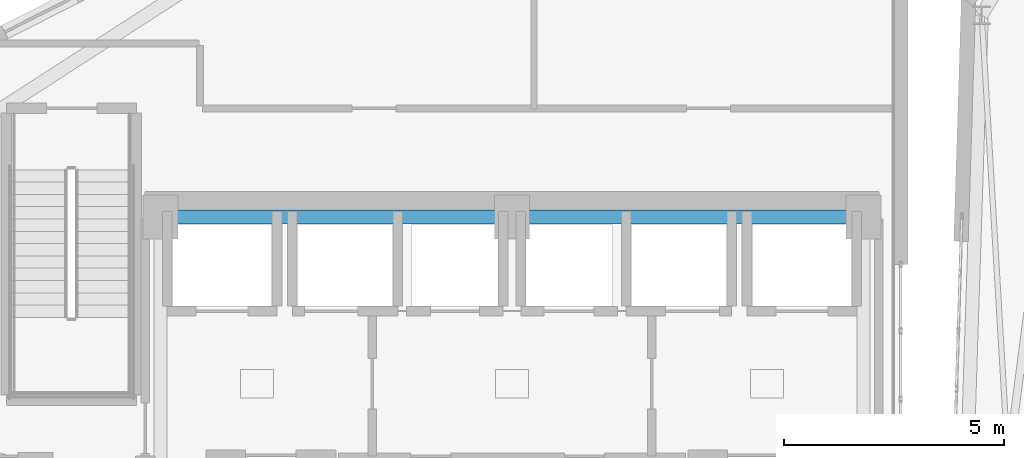
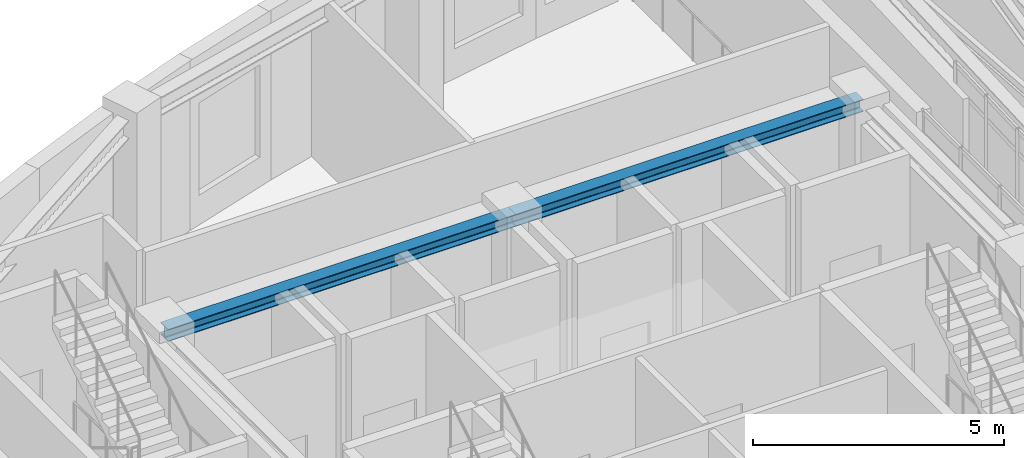
# One storey, part 10 of 19: 2 beams.
"""IFC4 building model written with IfcOpenShell, lengths in metres."""

import ifcopenshell
import ifcopenshell.guid

model = None  # the IFC model being written
_history = None  # IfcOwnerHistory: only IFC2X3 demands one
_inside = {}  # id of a spatial element -> (the spatial element, [elements in it])
_under = {}  # id of a project, library or spatial element -> (it, [spatial elements below it])
_declared = {}  # id of a project -> (the project, [libraries it declares])
_typed = {}  # id of a type object -> (the type object, [elements of that type])
_made_of = {}  # id of a material, layer set ... -> (it, [elements and type objects made of it])


def new_model(schema):
    """Start an empty IFC model of exactly this schema.

    Asked for "IFC4X3", IfcOpenShell would pick the latest addendum, in which some entities
    have other attributes; the version numbers below select the first issue.
    IFC2X3 requires an IfcOwnerHistory on every rooted entity: one is made here for all.
    """
    global model, _history
    if schema == "IFC4X3":
        model = ifcopenshell.file(schema_version=(4, 3, 0, 0))
    else:
        model = ifcopenshell.file(schema=schema)
    _inside.clear()
    _under.clear()
    _declared.clear()
    _typed.clear()
    _made_of.clear()
    _history = None
    if model.schema == "IFC2X3":
        org = make("IfcOrganization", Name="unknown")
        user = make(
            "IfcPersonAndOrganization",
            ThePerson=make("IfcPerson", FamilyName="unknown"),
            TheOrganization=org,
        )
        app = make(
            "IfcApplication",
            ApplicationDeveloper=org,
            Version="unknown",
            ApplicationFullName="unknown",
            ApplicationIdentifier="unknown",
        )
        _history = make(
            "IfcOwnerHistory",
            OwningUser=user,
            OwningApplication=app,
            ChangeAction="ADDED",
            CreationDate=0,
        )
    return model


def make(cls, **values):
    """One entity of the class cls with the attributes given. An attribute that is None is left unset."""
    return model.create_entity(
        cls, **{name: value for name, value in values.items() if value is not None}
    )


def rooted(cls, **values):
    """An entity with a GlobalId (a new one), such as an element, a storey or a relation."""
    return make(cls, GlobalId=ifcopenshell.guid.new(), OwnerHistory=_history, **values)


def si_unit(unit_type, name, prefix=None):
    """IfcSIUnit, for example si_unit("LENGTHUNIT", "METRE", prefix="MILLI")."""
    return make("IfcSIUnit", UnitType=unit_type, Prefix=prefix, Name=name)


def assignment(units):
    """IfcUnitAssignment: the units of a project."""
    return None if units is None else make("IfcUnitAssignment", Units=units)


def point(xyz):
    """IfcCartesianPoint."""
    return None if xyz is None else make("IfcCartesianPoint", Coordinates=xyz)


def direction(xyz):
    """IfcDirection."""
    return None if xyz is None else make("IfcDirection", DirectionRatios=xyz)


def frame(location, z_axis=None, x_axis=None):
    """IfcAxis2Placement3D, a coordinate frame: its origin and axes. An axis left out is left unset."""
    return make(
        "IfcAxis2Placement3D",
        Location=point(location),
        Axis=direction(z_axis),
        RefDirection=direction(x_axis),
    )


def frame_2d(location, x_axis=None):
    """IfcAxis2Placement2D, a coordinate frame in the plane: its origin and x axis."""
    return make(
        "IfcAxis2Placement2D", Location=point(location), RefDirection=direction(x_axis)
    )


def origin():
    """The frame at (0, 0, 0) with its axes left unset."""
    return frame((0.0, 0.0, 0.0))


def origin_2d():
    """The frame at (0, 0) in the plane with its x axis left unset."""
    return frame_2d((0.0, 0.0))


def place(relative_to, where):
    """IfcLocalPlacement: puts the frame where relative to a parent placement (None: the world)."""
    return make(
        "IfcLocalPlacement", PlacementRelTo=relative_to, RelativePlacement=where
    )


def context(
    kind, dimensions, precision=None, world=None, true_north=None, identifier=None
):
    """IfcGeometricRepresentationContext, for example the 3D "Model" context."""
    return make(
        "IfcGeometricRepresentationContext",
        ContextIdentifier=identifier,
        ContextType=kind,
        CoordinateSpaceDimension=dimensions,
        Precision=precision,
        WorldCoordinateSystem=world,
        TrueNorth=true_north,
    )


def subcontext(parent, identifier, kind, view, scale=None):
    """IfcGeometricRepresentationSubContext, for example "Body" below "Model"."""
    return make(
        "IfcGeometricRepresentationSubContext",
        ContextIdentifier=identifier,
        ContextType=kind,
        ParentContext=parent,
        TargetScale=scale,
        TargetView=view,
    )


def project(units=None, contexts=None):
    """IfcProject with its units and contexts."""
    return rooted(
        "IfcProject",
        Name="project",
        RepresentationContexts=contexts,
        UnitsInContext=assignment(units),
    )


def spatial(cls, under=None, at=None, **own):
    """A site, building, storey or space (cls), placed at a placement, below another one or the project."""
    s = rooted(cls, ObjectPlacement=at, **own)
    if under is not None:
        _under.setdefault(under.id(), (under, []))[1].append(s)
    return s


def profile(cls, at=None, kind="AREA", **sizes):
    """A parametric profile (cls). Its sizes go by their IFC names, for example OverallWidth=200.0."""
    return make(cls, ProfileType=kind, Position=at, **sizes)


def i_section(**sizes):
    """IfcIShapeProfileDef."""
    return profile("IfcIShapeProfileDef", **sizes)


def extrude(swept, where, along, depth):
    """IfcExtrudedAreaSolid: the profile swept, set in the frame where, extruded along a direction by depth."""
    return make(
        "IfcExtrudedAreaSolid",
        SweptArea=swept,
        Position=where,
        ExtrudedDirection=direction(along),
        Depth=depth,
    )


def shape(context_of_items, identifier, shape_type, items):
    """IfcShapeRepresentation: the items that make up one representation, for example the "Body"."""
    return make(
        "IfcShapeRepresentation",
        ContextOfItems=context_of_items,
        RepresentationIdentifier=identifier,
        RepresentationType=shape_type,
        Items=items,
    )


def material(Name=None, Category=None):
    """IfcMaterial."""
    return make("IfcMaterial", Name=Name, Category=Category)


def material_profile(
    of_material, cross_section, Name=None, Category=None, Priority=None
):
    """IfcMaterialProfile: a cross section and its material."""
    return make(
        "IfcMaterialProfile",
        Name=Name,
        Material=of_material,
        Profile=cross_section,
        Priority=Priority,
        Category=Category,
    )


def profile_set(profiles, Name=None, composite=None):
    """IfcMaterialProfileSet."""
    return make(
        "IfcMaterialProfileSet",
        Name=Name,
        MaterialProfiles=profiles,
        CompositeProfile=composite,
    )


def made_of(thing, what):
    """Note that an element or type object is made of a material, layer set ...; save() writes the relation."""
    if what is not None:
        _made_of.setdefault(what.id(), (what, []))[1].append(thing)
    return thing


def type_object(cls, material=None, **own):
    """A type object (cls), such as IfcWallType, which elements share."""
    return made_of(rooted(cls, **own), material)


def element(
    cls,
    number,
    at=None,
    inside=None,
    cuts=None,
    type_object=None,
    material=None,
    context=None,
    identifier="Body",
    shape_type=None,
    held_by="IfcProductDefinitionShape",
    body=None,
    shapes=None,
    **own,
):
    """One element of the class cls, such as IfcWall. Its Tag is "e" and its number.

    at: its placement. inside: the storey or other place that contains it. cuts: it is an
    opening in that element (IfcRelVoidsElement). A single representation is given by context,
    identifier, shape_type and body (its items); several are given by shapes. held_by: the class
    of the entity that holds the representations. save() writes the other relations.
    """
    e = rooted(cls, Tag="e%d" % number, ObjectPlacement=at, **own)
    if body is not None:
        shapes = [shape(context, identifier, shape_type, body)]
    if shapes is not None:
        e.Representation = make(held_by, Representations=shapes)
    if inside is not None:
        _inside.setdefault(inside.id(), (inside, []))[1].append(e)
    if cuts is not None:
        rooted(
            "IfcRelVoidsElement", RelatingBuildingElement=cuts, RelatedOpeningElement=e
        )
    if type_object is not None:
        _typed.setdefault(type_object.id(), (type_object, []))[1].append(e)
    return made_of(e, material)


def aggregate(whole, parts):
    """IfcRelAggregates: a whole, such as a stair, and the parts it consists of."""
    return rooted("IfcRelAggregates", RelatingObject=whole, RelatedObjects=parts)


def save(model, path):
    """Write the relations noted so far, then the file.

    IfcRelAggregates (storeys below a building ...), IfcRelContainedInSpatialStructure (elements
    in a storey), IfcRelDefinesByType, IfcRelAssociatesMaterial and IfcRelDeclares: one each for
    every whole, place, type object, material and project.
    """
    for whole, parts in _under.values():
        aggregate(whole, parts)
    for where, things in _inside.values():
        rooted(
            "IfcRelContainedInSpatialStructure",
            RelatedElements=things,
            RelatingStructure=where,
        )
    for kind, things in _typed.values():
        rooted("IfcRelDefinesByType", RelatedObjects=things, RelatingType=kind)
    for what, things in _made_of.values():
        rooted("IfcRelAssociatesMaterial", RelatedObjects=things, RelatingMaterial=what)
    for by, libraries in _declared.values():
        rooted("IfcRelDeclares", RelatingContext=by, RelatedDefinitions=libraries)
    model.write(path)


model = new_model("IFC4")

# Units and contexts
model_context = context("Model", 3, precision=1e-05, world=origin(), true_north=direction((0.0, 1.0)))
body_context = subcontext(model_context, "Body", "Model", "MODEL_VIEW")
ifc_project = project(units=[si_unit("LENGTHUNIT", "METRE"), si_unit("AREAUNIT", "SQUARE_METRE"), si_unit("VOLUMEUNIT", "CUBIC_METRE"), si_unit("PLANEANGLEUNIT", "RADIAN"), si_unit("MASSUNIT", "GRAM", prefix="KILO")], contexts=[model_context])

# Site, building, storey
site_placement = place(None, origin())
site = spatial("IfcSite", under=ifc_project, at=site_placement, CompositionType="ELEMENT")
building_placement = place(site_placement, origin())
building = spatial("IfcBuilding", under=site, at=building_placement, Name="Ndelora Gate Hotel", CompositionType="ELEMENT")
storey_placement = place(building_placement, frame((0.0, 0.0, 286.0)))
storey = spatial("IfcBuildingStorey", under=building, at=storey_placement, Name="L71", CompositionType="ELEMENT", Elevation=286.0)

# Beams
ifc_material = material(Name="Steel S355", Category="steel")
ifc_material_profile = material_profile(ifc_material, i_section(OverallWidth=0.300048828125, OverallDepth=0.300048828125, WebThickness=0.010986328125, FlangeThickness=0.01904296875, FilletRadius=0.027099609375, at=origin_2d()), Name="HEB 300")
ifc_profile_set = profile_set([ifc_material_profile], Name="Steel S355")
beam_type = type_object("IfcBeamType", Name="BM-CORE-300", PredefinedType="BEAM", material=ifc_profile_set)
for number, where, z_axis, x_axis, name in (
    (1, (-8.0, 6.60009765625, 3.97998046875), (1.0, 0.0, 0.0), (0.0, 1.0, 0.0), "L71 Core Tie Girder CC7-CC6"),
    (2, (0.0, 6.60009765625, 3.97998046875), (1.0, 0.0, 0.0), (0.0, 1.0, 0.0), "L71 Core Tie Girder CC6-CC5"),
):
    element("IfcBeam", number, at=place(storey_placement, frame(where, z_axis=z_axis, x_axis=x_axis)), inside=storey, type_object=beam_type, Name=name, PredefinedType="BEAM", context=body_context, shape_type="SweptSolid", body=[
        extrude(i_section(OverallWidth=0.300048828125, OverallDepth=0.300048828125, WebThickness=0.010986328125, FlangeThickness=0.01904296875, FilletRadius=0.027099609375, at=origin_2d()), origin(), (0.0, 0.0, 1.0), 8.0),
    ])

save(model, "model.ifc")
